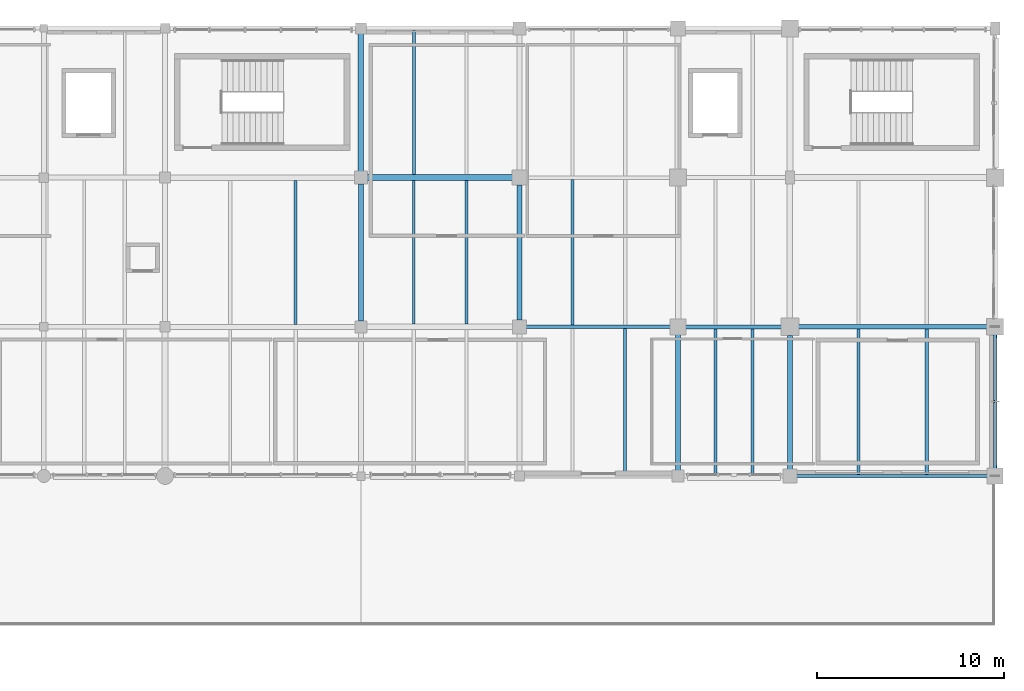
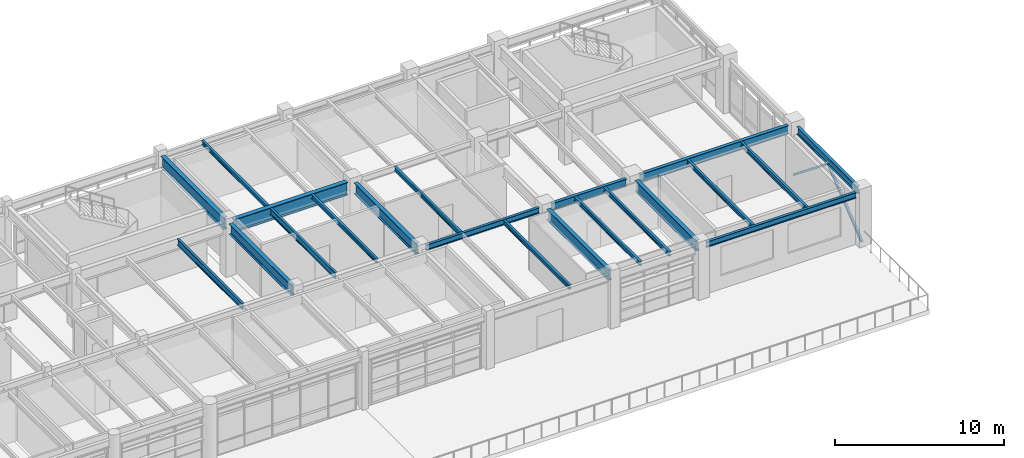
# One storey, part 34 of 56: 21 beams, 2 members.
"""IFC4 building model written with IfcOpenShell, lengths in metres."""

from ifc_helpers import new_model, si_unit, direction, frame, origin, origin_2d, place, context, subcontext, project, spatial, hollow_rectangle, i_section, extrude, material, material_profile, profile_set, type_object, element, save


model = new_model("IFC4")

# Units and contexts
model_context = context("Model", 3, precision=1e-05, world=origin(), true_north=direction((0.0, 1.0)))
body_context = subcontext(model_context, "Body", "Model", "MODEL_VIEW")
ifc_project = project(units=[si_unit("LENGTHUNIT", "METRE"), si_unit("AREAUNIT", "SQUARE_METRE"), si_unit("VOLUMEUNIT", "CUBIC_METRE"), si_unit("PLANEANGLEUNIT", "RADIAN"), si_unit("MASSUNIT", "GRAM", prefix="KILO"), si_unit("THERMODYNAMICTEMPERATUREUNIT", "KELVIN"), si_unit("POWERUNIT", "WATT")], contexts=[model_context])

# Site, building, storey
site_placement = place(None, origin())
site = spatial("IfcSite", under=ifc_project, at=site_placement, CompositionType="ELEMENT")
building_placement = place(site_placement, origin())
building = spatial("IfcBuilding", under=site, at=building_placement, Name="Tepalcoro Natatorium and Aquatics Centre", CompositionType="ELEMENT")
storey_placement = place(building_placement, frame((0.0, 0.0, 14.800048828125)))
storey = spatial("IfcBuildingStorey", under=building, at=storey_placement, Name="L03", CompositionType="ELEMENT", Elevation=14.800048828125)

# Beams
ifc_material_1 = material(Name="Steel ASTM A992 Grade 50 (Fy 345 MPa)", Category="steel")
ifc_material_profile_1 = material_profile(ifc_material_1, i_section(OverallWidth=0.177978515625, OverallDepth=0.406005859375, WebThickness=0.008056640625, FlangeThickness=0.012939453125, FilletRadius=0.013916015625, at=origin_2d()), Name="W16X40")
ifc_profile_set_1 = profile_set([ifc_material_profile_1], Name="Steel ASTM A992 Grade 50 (Fy 345 MPa)")
beam_type_1 = type_object("IfcBeamType", Name="BM_W16x40", PredefinedType="BEAM", material=ifc_profile_set_1)
beam_1_placement = place(storey_placement, frame((150.860107421875, 102.0, 3.60205078125), z_axis=(1.0, 0.0, 0.0), x_axis=(0.0, 1.0, 0.0)))
element("IfcBeam", 1, at=beam_1_placement, inside=storey, type_object=beam_type_1, Name="V5 L03 Grid Girder X", PredefinedType="BEAM", context=body_context, shape_type="SweptSolid", body=[
    extrude(i_section(OverallWidth=0.177978515625, OverallDepth=0.406005859375, WebThickness=0.008056640625, FlangeThickness=0.012939453125, FilletRadius=0.013916015625, at=origin_2d()), origin(), (0.0, 0.0, 1.0), 7.72998046875),
])
ifc_material_profile_2 = material_profile(ifc_material_1, i_section(OverallWidth=0.2099609375, OverallDepth=0.532958984375, WebThickness=0.010009765625, FlangeThickness=0.01611328125, FilletRadius=0.013916015625, at=origin_2d()), Name="W21X62")
ifc_profile_set_2 = profile_set([ifc_material_profile_2], Name="Steel ASTM A992 Grade 50 (Fy 345 MPa)")
beam_type_2 = type_object("IfcBeamType", Name="BM_W21x62", PredefinedType="BEAM", material=ifc_profile_set_2)
beam_2_placement = place(storey_placement, frame((159.409912109375, 102.0, 3.538330078125), z_axis=(1.0, 0.0, 0.0), x_axis=(0.0, 1.0, 0.0)))
element("IfcBeam", 2, at=beam_2_placement, inside=storey, type_object=beam_type_2, Name="V5 L03 Grid Girder X", PredefinedType="BEAM", context=body_context, shape_type="SweptSolid", body=[
    extrude(i_section(OverallWidth=0.2099609375, OverallDepth=0.532958984375, WebThickness=0.010009765625, FlangeThickness=0.01611328125, FilletRadius=0.013916015625, at=origin_2d()), origin(), (0.0, 0.0, 1.0), 5.130126953125),
])
ifc_material_profile_3 = material_profile(ifc_material_1, i_section(OverallWidth=0.22998046875, OverallDepth=0.616943359375, WebThickness=0.012939453125, FlangeThickness=0.02197265625, FilletRadius=0.013916015625, at=origin_2d()), Name="W24X94")
ifc_profile_set_3 = profile_set([ifc_material_profile_3], Name="Steel ASTM A992 Grade 50 (Fy 345 MPa)")
beam_type_3 = type_object("IfcBeamType", Name="BM_W24x94", PredefinedType="BEAM", material=ifc_profile_set_3)
beam_3_placement = place(storey_placement, frame((165.4599609375, 102.0, 3.496337890625), z_axis=(1.0, 0.0, 0.0), x_axis=(0.0, 1.0, 0.0)))
element("IfcBeam", 3, at=beam_3_placement, inside=storey, type_object=beam_type_3, Name="V5 L03 Grid Girder X", PredefinedType="BEAM", context=body_context, shape_type="SweptSolid", body=[
    extrude(i_section(OverallWidth=0.22998046875, OverallDepth=0.616943359375, WebThickness=0.012939453125, FlangeThickness=0.02197265625, FilletRadius=0.013916015625, at=origin_2d()), origin(), (0.0, 0.0, 1.0), 10.10498046875),
])
ifc_material_profile_4 = material_profile(ifc_material_1, i_section(OverallWidth=0.26708984375, OverallDepth=0.761962890625, WebThickness=0.013916015625, FlangeThickness=0.02197265625, FilletRadius=0.013916015625, at=origin_2d()), Name="W30X116")
ifc_profile_set_4 = profile_set([ifc_material_profile_4], Name="Steel ASTM A992 Grade 50 (Fy 345 MPa)")
beam_type_4 = type_object("IfcBeamType", Name="BM_W30x116", PredefinedType="BEAM", material=ifc_profile_set_4)
beam_4_placement = place(storey_placement, frame((142.0, 102.31005859375, 3.424072265625), z_axis=(0.0, 1.0, 0.0), x_axis=(-1.0, 0.0, 0.0)))
element("IfcBeam", 4, at=beam_4_placement, inside=storey, type_object=beam_type_4, Name="V5 L03 Grid Girder Y", PredefinedType="BEAM", context=body_context, shape_type="SweptSolid", body=[
    extrude(i_section(OverallWidth=0.26708984375, OverallDepth=0.761962890625, WebThickness=0.013916015625, FlangeThickness=0.02197265625, FilletRadius=0.013916015625, at=origin_2d()), origin(), (0.0, 0.0, 1.0), 7.35498046875),
])
beam_5_placement = place(storey_placement, frame((159.0, 94.31005859375, 3.424072265625), z_axis=(0.0, 1.0, 0.0), x_axis=(-1.0, 0.0, 0.0)))
element("IfcBeam", 5, at=beam_5_placement, inside=storey, type_object=beam_type_4, Name="V5 L03 Grid Girder Y", PredefinedType="BEAM", context=body_context, shape_type="SweptSolid", body=[
    extrude(i_section(OverallWidth=0.26708984375, OverallDepth=0.761962890625, WebThickness=0.013916015625, FlangeThickness=0.02197265625, FilletRadius=0.013916015625, at=origin_2d()), origin(), (0.0, 0.0, 1.0), 7.280029296875),
])
ifc_material_profile_5 = material_profile(ifc_material_1, i_section(OverallWidth=0.26708984375, OverallDepth=0.780029296875, WebThickness=0.01708984375, FlangeThickness=0.030029296875, FilletRadius=0.013916015625, at=origin_2d()), Name="W30X148")
ifc_profile_set_5 = profile_set([ifc_material_profile_5], Name="Steel ASTM A992 Grade 50 (Fy 345 MPa)")
beam_type_5 = type_object("IfcBeamType", Name="BM_W30x148", PredefinedType="BEAM", material=ifc_profile_set_5)
beam_6_placement = place(storey_placement, frame((150.5, 102.360107421875, 3.4150390625), z_axis=(0.0, 1.0, 0.0), x_axis=(-1.0, 0.0, 0.0)))
element("IfcBeam", 6, at=beam_6_placement, inside=storey, type_object=beam_type_5, Name="V5 L03 Grid Girder Y", PredefinedType="BEAM", context=body_context, shape_type="SweptSolid", body=[
    extrude(i_section(OverallWidth=0.26708984375, OverallDepth=0.780029296875, WebThickness=0.01708984375, FlangeThickness=0.030029296875, FilletRadius=0.013916015625, at=origin_2d()), origin(), (0.0, 0.0, 1.0), 7.2548828125),
])
beam_7_placement = place(storey_placement, frame((165.0, 94.360107421875, 3.4150390625), z_axis=(0.0, 1.0, 0.0), x_axis=(-1.0, 0.0, 0.0)))
element("IfcBeam", 7, at=beam_7_placement, inside=storey, type_object=beam_type_5, Name="V5 L03 Grid Girder Y", PredefinedType="BEAM", context=body_context, shape_type="SweptSolid", body=[
    extrude(i_section(OverallWidth=0.26708984375, OverallDepth=0.780029296875, WebThickness=0.01708984375, FlangeThickness=0.030029296875, FilletRadius=0.013916015625, at=origin_2d()), origin(), (0.0, 0.0, 1.0), 7.179931640625),
])
ifc_material_profile_6 = material_profile(ifc_material_1, i_section(OverallWidth=0.2919921875, OverallDepth=0.845947265625, WebThickness=0.014892578125, FlangeThickness=0.02392578125, FilletRadius=0.013916015625, at=origin_2d()), Name="W33X141")
ifc_profile_set_6 = profile_set([ifc_material_profile_6], Name="Steel ASTM A992 Grade 50 (Fy 345 MPa)")
beam_type_6 = type_object("IfcBeamType", Name="BM_W33x141", PredefinedType="BEAM", material=ifc_profile_set_6)
beam_8_placement = place(storey_placement, frame((142.0, 110.3349609375, 3.3818359375), z_axis=(0.0, 1.0, 0.0), x_axis=(-1.0, 0.0, 0.0)))
element("IfcBeam", 8, at=beam_8_placement, inside=storey, type_object=beam_type_6, Name="V5 L03 Grid Girder Y", PredefinedType="BEAM", context=body_context, shape_type="SweptSolid", body=[
    extrude(i_section(OverallWidth=0.2919921875, OverallDepth=0.845947265625, WebThickness=0.014892578125, FlangeThickness=0.02392578125, FilletRadius=0.013916015625, at=origin_2d()), origin(), (0.0, 0.0, 1.0), 7.380126953125),
])
ifc_material_profile_7 = material_profile(ifc_material_1, i_section(OverallWidth=0.31005859375, OverallDepth=0.931884765625, WebThickness=0.02099609375, FlangeThickness=0.034912109375, FilletRadius=0.013916015625, at=origin_2d()), Name="W36X210")
ifc_profile_set_7 = profile_set([ifc_material_profile_7], Name="Steel ASTM A992 Grade 50 (Fy 345 MPa)")
beam_type_7 = type_object("IfcBeamType", Name="BM_W36x210", PredefinedType="BEAM", material=ifc_profile_set_7)
beam_9_placement = place(storey_placement, frame((142.3349609375, 110.0, 3.3388671875), z_axis=(1.0, 0.0, 0.0), x_axis=(0.0, 1.0, 0.0)))
element("IfcBeam", 9, at=beam_9_placement, inside=storey, type_object=beam_type_7, Name="V5 L03 Grid Girder X", PredefinedType="BEAM", context=body_context, shape_type="SweptSolid", body=[
    extrude(i_section(OverallWidth=0.31005859375, OverallDepth=0.931884765625, WebThickness=0.02099609375, FlangeThickness=0.034912109375, FilletRadius=0.013916015625, at=origin_2d()), origin(), (0.0, 0.0, 1.0), 7.780029296875),
])
ifc_material_profile_8 = material_profile(ifc_material_1, i_section(OverallWidth=0.1650390625, OverallDepth=0.31005859375, WebThickness=0.006103515625, FlangeThickness=0.010009765625, FilletRadius=0.013916015625, at=origin_2d()), Name="W12X26")
ifc_profile_set_8 = profile_set([ifc_material_profile_8], Name="Steel ASTM A992 Grade 50 (Fy 345 MPa)")
beam_type_8 = type_object("IfcBeamType", Name="JS_W12x26", PredefinedType="JOIST", material=ifc_profile_set_8)
beam_10_placement = place(storey_placement, frame((147.666748046875, 102.152587890625, 3.64990234375), z_axis=(0.0, 1.0, 0.0), x_axis=(-1.0, 0.0, 0.0)))
element("IfcBeam", 10, at=beam_10_placement, inside=storey, type_object=beam_type_8, Name="V5 L03 Floor Joist", PredefinedType="JOIST", context=body_context, shape_type="SweptSolid", body=[
    extrude(i_section(OverallWidth=0.1650390625, OverallDepth=0.31005859375, WebThickness=0.006103515625, FlangeThickness=0.010009765625, FilletRadius=0.013916015625, at=origin_2d()), origin(), (0.0, 0.0, 1.0), 7.6923828125),
])
beam_11_placement = place(storey_placement, frame((144.833251953125, 110.155029296875, 3.64990234375), z_axis=(0.0, 1.0, 0.0), x_axis=(-1.0, 0.0, 0.0)))
element("IfcBeam", 11, at=beam_11_placement, inside=storey, type_object=beam_type_8, Name="V5 L03 Floor Joist", PredefinedType="JOIST", context=body_context, shape_type="SweptSolid", body=[
    extrude(i_section(OverallWidth=0.1650390625, OverallDepth=0.31005859375, WebThickness=0.006103515625, FlangeThickness=0.010009765625, FilletRadius=0.013916015625, at=origin_2d()), origin(), (0.0, 0.0, 1.0), 7.7548828125),
])
beam_12_placement = place(storey_placement, frame((156.166748046875, 94.10498046875, 3.64990234375), z_axis=(0.0, 1.0, 0.0), x_axis=(-1.0, 0.0, 0.0)))
element("IfcBeam", 12, at=beam_12_placement, inside=storey, type_object=beam_type_8, Name="V5 L03 Floor Joist", PredefinedType="JOIST", context=body_context, shape_type="SweptSolid", body=[
    extrude(i_section(OverallWidth=0.1650390625, OverallDepth=0.31005859375, WebThickness=0.006103515625, FlangeThickness=0.010009765625, FilletRadius=0.013916015625, at=origin_2d()), origin(), (0.0, 0.0, 1.0), 7.805908203125),
])
beam_13_placement = place(storey_placement, frame((153.333251953125, 102.089111328125, 3.64990234375), z_axis=(0.0, 1.0, 0.0), x_axis=(-1.0, 0.0, 0.0)))
element("IfcBeam", 13, at=beam_13_placement, inside=storey, type_object=beam_type_8, Name="V5 L03 Floor Joist", PredefinedType="JOIST", context=body_context, shape_type="SweptSolid", body=[
    extrude(i_section(OverallWidth=0.1650390625, OverallDepth=0.31005859375, WebThickness=0.006103515625, FlangeThickness=0.010009765625, FilletRadius=0.013916015625, at=origin_2d()), origin(), (0.0, 0.0, 1.0), 7.8154296875),
])
beam_14_placement = place(storey_placement, frame((161.0, 94.114501953125, 3.64990234375), z_axis=(0.0, 1.0, 0.0), x_axis=(-1.0, 0.0, 0.0)))
element("IfcBeam", 14, at=beam_14_placement, inside=storey, type_object=beam_type_8, Name="V5 L03 Floor Joist", PredefinedType="JOIST", context=body_context, shape_type="SweptSolid", body=[
    extrude(i_section(OverallWidth=0.1650390625, OverallDepth=0.31005859375, WebThickness=0.006103515625, FlangeThickness=0.010009765625, FilletRadius=0.013916015625, at=origin_2d()), origin(), (0.0, 0.0, 1.0), 7.780517578125),
])
ifc_material_profile_9 = material_profile(ifc_material_1, i_section(OverallWidth=0.1669921875, OverallDepth=0.318115234375, WebThickness=0.008056640625, FlangeThickness=0.012939453125, FilletRadius=0.013916015625, at=origin_2d()), Name="W12X35")
ifc_profile_set_9 = profile_set([ifc_material_profile_9], Name="Steel ASTM A992 Grade 50 (Fy 345 MPa)")
beam_type_9 = type_object("IfcBeamType", Name="JS_W12x35", PredefinedType="JOIST", material=ifc_profile_set_9)
beam_15_placement = place(storey_placement, frame((163.0, 94.114501953125, 3.64599609375), z_axis=(0.0, 1.0, 0.0), x_axis=(-1.0, 0.0, 0.0)))
element("IfcBeam", 15, at=beam_15_placement, inside=storey, type_object=beam_type_9, Name="V5 L03 Floor Joist", PredefinedType="JOIST", context=body_context, shape_type="SweptSolid", body=[
    extrude(i_section(OverallWidth=0.1669921875, OverallDepth=0.318115234375, WebThickness=0.008056640625, FlangeThickness=0.012939453125, FilletRadius=0.013916015625, at=origin_2d()), origin(), (0.0, 0.0, 1.0), 7.780517578125),
])
beam_16_placement = place(storey_placement, frame((168.666748046875, 94.090087890625, 3.64599609375), z_axis=(0.0, 1.0, 0.0), x_axis=(-1.0, 0.0, 0.0)))
element("IfcBeam", 16, at=beam_16_placement, inside=storey, type_object=beam_type_9, Name="V5 L03 Floor Joist", PredefinedType="JOIST", context=body_context, shape_type="SweptSolid", body=[
    extrude(i_section(OverallWidth=0.1669921875, OverallDepth=0.318115234375, WebThickness=0.008056640625, FlangeThickness=0.012939453125, FilletRadius=0.013916015625, at=origin_2d()), origin(), (0.0, 0.0, 1.0), 7.794921875),
])
ifc_material_profile_10 = material_profile(ifc_material_1, i_section(OverallWidth=0.1708984375, OverallDepth=0.35107421875, WebThickness=0.007080078125, FlangeThickness=0.010009765625, FilletRadius=0.013916015625, at=origin_2d()), Name="W14X30")
ifc_profile_set_10 = profile_set([ifc_material_profile_10], Name="Steel ASTM A992 Grade 50 (Fy 345 MPa)")
beam_type_10 = type_object("IfcBeamType", Name="JS_W14x30", PredefinedType="JOIST", material=ifc_profile_set_10)
beam_17_placement = place(storey_placement, frame((172.333251953125, 94.090087890625, 3.62939453125), z_axis=(0.0, 1.0, 0.0), x_axis=(-1.0, 0.0, 0.0)))
element("IfcBeam", 17, at=beam_17_placement, inside=storey, type_object=beam_type_10, Name="V5 L03 Floor Joist", PredefinedType="JOIST", context=body_context, shape_type="SweptSolid", body=[
    extrude(i_section(OverallWidth=0.1708984375, OverallDepth=0.35107421875, WebThickness=0.007080078125, FlangeThickness=0.010009765625, FilletRadius=0.013916015625, at=origin_2d()), origin(), (0.0, 0.0, 1.0), 7.794921875),
])
ifc_material_profile_11 = material_profile(ifc_material_1, i_section(OverallWidth=0.153076171875, OverallDepth=0.455078125, WebThickness=0.008056640625, FlangeThickness=0.012939453125, FilletRadius=0.013916015625, at=origin_2d()), Name="W18X40")
ifc_profile_set_11 = profile_set([ifc_material_profile_11], Name="Steel ASTM A992 Grade 50 (Fy 345 MPa)")
beam_type_11 = type_object("IfcBeamType", Name="JS_W18x40", PredefinedType="JOIST", material=ifc_profile_set_11)
beam_18_placement = place(storey_placement, frame((138.5, 102.133544921875, 3.577392578125), z_axis=(0.0, 1.0, 0.0), x_axis=(-1.0, 0.0, 0.0)))
element("IfcBeam", 18, at=beam_18_placement, inside=storey, type_object=beam_type_11, Name="V5 L03 Floor Joist", PredefinedType="JOIST", context=body_context, shape_type="SweptSolid", body=[
    extrude(i_section(OverallWidth=0.153076171875, OverallDepth=0.455078125, WebThickness=0.008056640625, FlangeThickness=0.012939453125, FilletRadius=0.013916015625, at=origin_2d()), origin(), (0.0, 0.0, 1.0), 7.720458984375),
])
beam_19_placement = place(storey_placement, frame((144.833251953125, 102.152587890625, 3.577392578125), z_axis=(0.0, 1.0, 0.0), x_axis=(-1.0, 0.0, 0.0)))
element("IfcBeam", 19, at=beam_19_placement, inside=storey, type_object=beam_type_11, Name="V5 L03 Floor Joist", PredefinedType="JOIST", context=body_context, shape_type="SweptSolid", body=[
    extrude(i_section(OverallWidth=0.153076171875, OverallDepth=0.455078125, WebThickness=0.008056640625, FlangeThickness=0.012939453125, FilletRadius=0.013916015625, at=origin_2d()), origin(), (0.0, 0.0, 1.0), 7.6923828125),
])

# Members
ifc_material_2 = material(Name="Hollow Steel ASTM A500 Grade C (Fy 345 MPa)", Category="steel")
ifc_material_profile_12 = material_profile(ifc_material_2, hollow_rectangle(XDim=0.14990234375, YDim=0.14990234375, WallThickness=0.010009765625, at=origin_2d()), Name="HSS150X150X10")
ifc_profile_set_12 = profile_set([ifc_material_profile_12], Name="Hollow Steel ASTM A500 Grade C (Fy 345 MPa)")
member_type = type_object("IfcMemberType", Name="MB_BR_HSS150x150x10", PredefinedType="BRACE", material=ifc_profile_set_12)
for number, where, z_axis, x_axis, name in (
    (20, (176.0, 94.0, 0.050048828125), (0.0, 0.780873459249, 0.624689235253), (-1.0, 0.0, 0.0), "V5 L03 Chevron Lateral Brace"),
    (21, (176.0, 102.0, 0.050048828125), (0.0, -0.780873459249, 0.624689235253), (1.0, 0.0, 0.0), "V5 L03 Chevron Lateral Brace"),
):
    element("IfcMember", number, at=place(storey_placement, frame(where, z_axis=z_axis, x_axis=x_axis)), inside=storey, type_object=member_type, Name=name, PredefinedType="BRACE", context=body_context, shape_type="SweptSolid", body=[
        extrude(hollow_rectangle(XDim=0.14990234375, YDim=0.14990234375, WallThickness=0.010009765625, at=origin_2d()), origin(), (0.0, 0.0, 1.0), 5.12255859375),
    ])

# Beams
ifc_material_profile_13 = material_profile(ifc_material_1, i_section(OverallWidth=0.179931640625, OverallDepth=0.4130859375, WebThickness=0.010009765625, FlangeThickness=0.01611328125, FilletRadius=0.013916015625, at=origin_2d()), Name="W16X50")
ifc_profile_set_13 = profile_set([ifc_material_profile_13], Name="Steel ASTM A992 Grade 50 (Fy 345 MPa)")
beam_type_12 = type_object("IfcBeamType", Name="SP_HSS300x200x12", PredefinedType="SPANDREL", material=ifc_profile_set_13)
beam_20_placement = place(storey_placement, frame((165.360107421875, 94.0, 3.598388671875), z_axis=(1.0, 0.0, 0.0), x_axis=(0.0, 1.0, 0.0)))
element("IfcBeam", 22, at=beam_20_placement, inside=storey, type_object=beam_type_12, Name="V5 L03 Grid Girder X", PredefinedType="SPANDREL", context=body_context, shape_type="SweptSolid", body=[
    extrude(i_section(OverallWidth=0.179931640625, OverallDepth=0.4130859375, WebThickness=0.010009765625, FlangeThickness=0.01611328125, FilletRadius=0.013916015625, at=origin_2d()), origin(), (0.0, 0.0, 1.0), 10.22998046875),
])
ifc_material_profile_14 = material_profile(ifc_material_1, i_section(OverallWidth=0.2099609375, OverallDepth=0.535888671875, WebThickness=0.010986328125, FlangeThickness=0.01708984375, FilletRadius=0.013916015625, at=origin_2d()), Name="W21X68")
ifc_profile_set_14 = profile_set([ifc_material_profile_14], Name="Steel ASTM A992 Grade 50 (Fy 345 MPa)")
beam_type_13 = type_object("IfcBeamType", Name="SP_W21x68", PredefinedType="SPANDREL", material=ifc_profile_set_14)
beam_21_placement = place(storey_placement, frame((176.0, 94.409912109375, 3.536865234375), z_axis=(0.0, 1.0, 0.0), x_axis=(-1.0, 0.0, 0.0)))
element("IfcBeam", 23, at=beam_21_placement, inside=storey, type_object=beam_type_13, Name="V5 L03 Grid Girder Y", PredefinedType="SPANDREL", context=body_context, shape_type="SweptSolid", body=[
    extrude(i_section(OverallWidth=0.2099609375, OverallDepth=0.535888671875, WebThickness=0.010986328125, FlangeThickness=0.01708984375, FilletRadius=0.013916015625, at=origin_2d()), origin(), (0.0, 0.0, 1.0), 7.155029296875),
])

save(model, "model.ifc")
